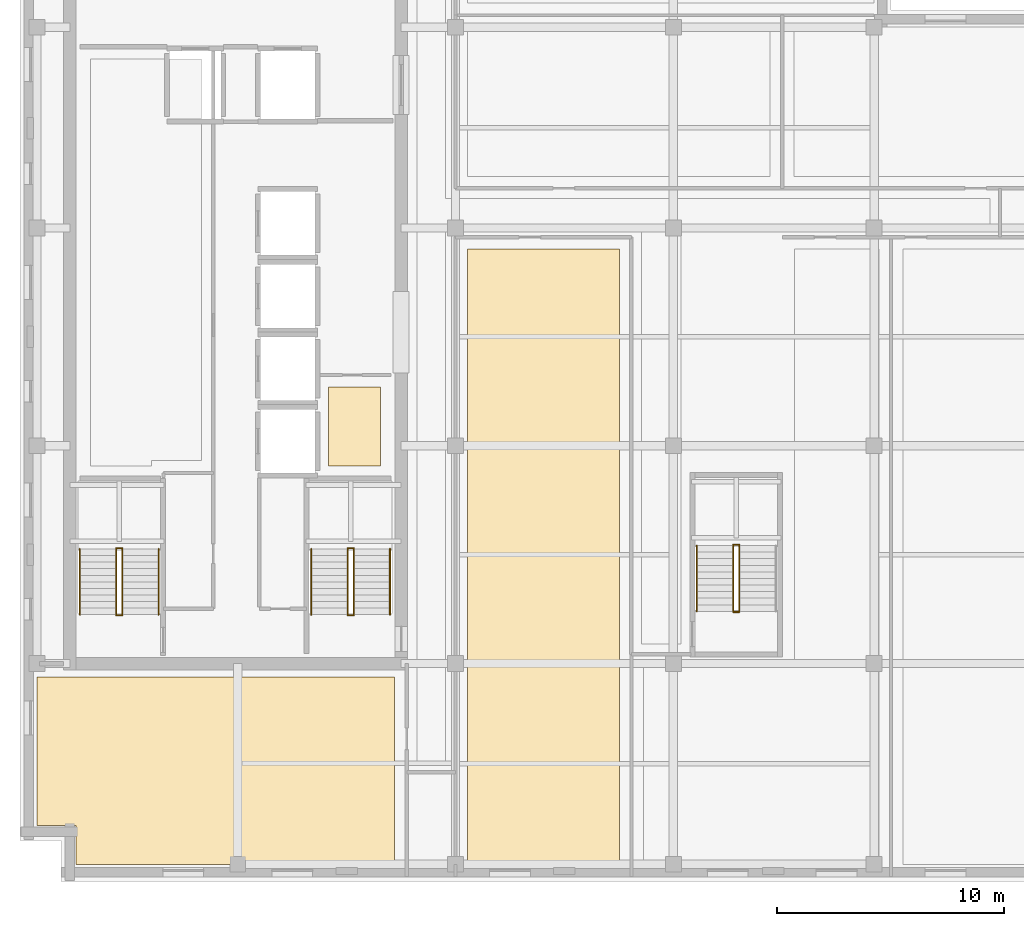
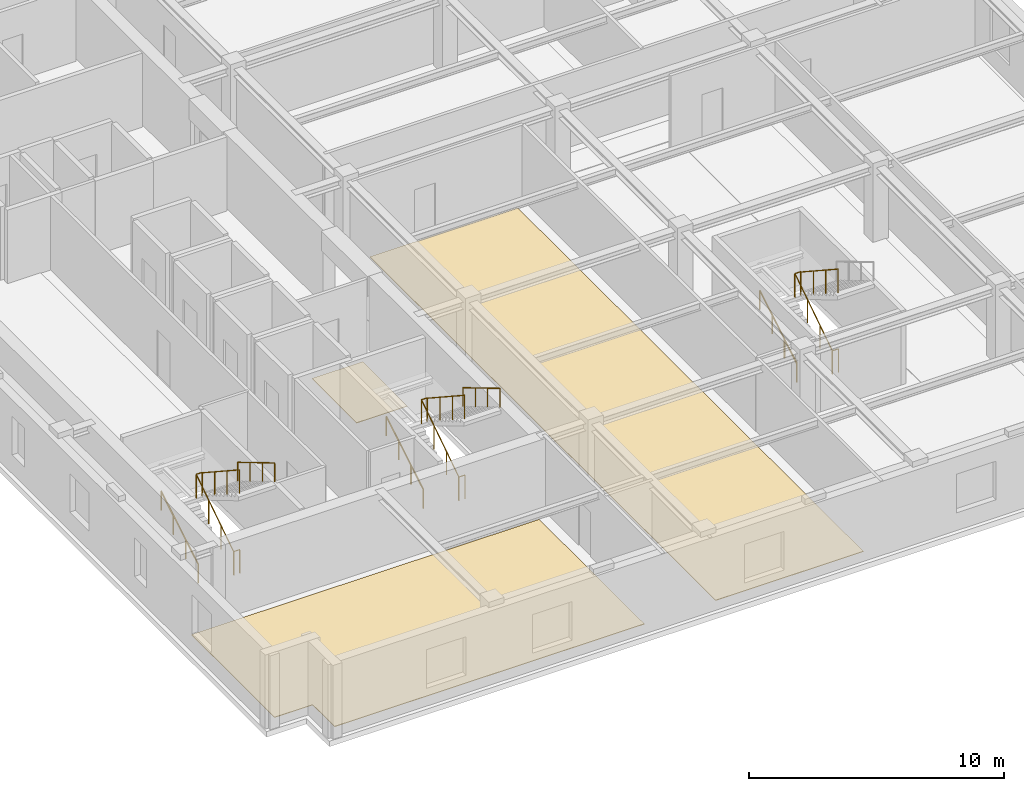
# One storey, part 6 of 10: 17 railings, 3 coverings.
"""IFC4 building model written with IfcOpenShell, lengths in metres."""

from ifc_helpers import new_model, si_unit, direction, frame, origin, origin_2d, place, context, subcontext, project, spatial, polyline, circle, outline, extrude, material, layer, layer_set, type_object, element, save


model = new_model("IFC4")

# Units and contexts
model_context = context("Model", 3, precision=1e-05, world=origin(), true_north=direction((0.0, 1.0)))
body_context = subcontext(model_context, "Body", "Model", "MODEL_VIEW")
ifc_project = project(units=[si_unit("LENGTHUNIT", "METRE"), si_unit("AREAUNIT", "SQUARE_METRE"), si_unit("VOLUMEUNIT", "CUBIC_METRE"), si_unit("PLANEANGLEUNIT", "RADIAN"), si_unit("MASSUNIT", "GRAM", prefix="KILO")], contexts=[model_context])

# Site, building, storey
site_placement = place(None, origin())
site = spatial("IfcSite", under=ifc_project, at=site_placement, CompositionType="ELEMENT")
building_placement = place(site_placement, origin())
building = spatial("IfcBuilding", under=site, at=building_placement, Name="Norrvale University Quadrangle", CompositionType="ELEMENT")
storey_placement = place(building_placement, frame((0.0, 0.0, 292.39990234375)))
storey = spatial("IfcBuildingStorey", under=building, at=storey_placement, Name="L74", CompositionType="ELEMENT", Elevation=292.39990234375)

# Coverings
ifc_material_1 = material(Name="Polished Terrazzo Flooring")
ifc_layer = layer(ifc_material_1, 0.02490234375, Name="Polished Terrazzo Flooring")
ifc_layer_set = layer_set([ifc_layer], Name="Polished Terrazzo Flooring")
covering_type = type_object("IfcCoveringType", Name="Covering Terrazzo Floor 30", PredefinedType="FLOORING", material=ifc_layer_set)
covering_1_placement = place(storey_placement, origin())
element("IfcCovering", 1, at=covering_1_placement, inside=storey, type_object=covering_type, Name="Terrazzo Flooring RM-L74-JAN", PredefinedType="FLOORING", context=body_context, shape_type="SweptSolid", body=[
    extrude(outline(polyline([(13.60009765625, 18.300048828125), (13.60009765625, 21.800048828125), (15.89990234375, 21.800048828125), (15.89990234375, 18.300048828125), (13.60009765625, 18.300048828125)])), origin(), (0.0, 0.0, 1.0), 0.025146484375),
])
covering_2_placement = place(storey_placement, origin())
element("IfcCovering", 2, at=covering_2_placement, inside=storey, type_object=covering_type, Name="Terrazzo Flooring RM-L74-SW1", PredefinedType="FLOORING", context=body_context, shape_type="SweptSolid", body=[
    extrude(outline(polyline([(0.75, 9.0), (16.5, 9.0), (16.5, 0.75), (2.469970703125, 0.75), (2.469970703125, 2.469970703125), (0.75, 2.469970703125), (0.75, 9.0)])), origin(), (0.0, 0.0, 1.0), 0.025146484375),
])
covering_3_placement = place(storey_placement, origin())
element("IfcCovering", 3, at=covering_3_placement, inside=storey, type_object=covering_type, Name="Terrazzo Flooring RM-L74-SE1", PredefinedType="FLOORING", context=body_context, shape_type="SweptSolid", body=[
    extrude(outline(polyline([(19.72998046875, 27.8701171875), (26.419921875, 27.8701171875), (26.419921875, 0.75), (19.72998046875, 0.75), (19.72998046875, 27.8701171875)])), origin(), (0.0, 0.0, 1.0), 0.025146484375),
])

# Railings
ifc_material_2 = material(Name="Steel 350W Painted Balustrade", Category="steel")
railing_type_1 = type_object("IfcRailingType", Name="Railing Stair Guard 1100", PredefinedType="GUARDRAIL", material=ifc_material_2)
for number, where, name in (
    (4, (4.239990234375, 11.719970703125, 0.0), "Stair Floor Well Guard ST-01 L74"),
    (5, (4.239990234375, 14.679931640625, 1.900146484375), "Stair Mid-Landing Slot Guard ST-01 L74"),
):
    element("IfcRailing", number, at=place(storey_placement, frame(where)), inside=storey, type_object=railing_type_1, Name=name, PredefinedType="GUARDRAIL", context=body_context, shape_type="SweptSolid", body=[
        extrude(circle(Radius=0.02392578125, at=origin_2d()), frame((0.0, 0.0, 1.1259765625), z_axis=(1.0, 0.0, 0.0), x_axis=(0.0, 1.0, 0.0)), (0.0, 0.0, 1.0), 0.27001953125),
        extrude(circle(Radius=0.02099609375, at=origin_2d()), origin(), (0.0, 0.0, 1.0), 1.101806640625),
        extrude(circle(Radius=0.02099609375, at=origin_2d()), frame((0.27001953125, 0.0, 0.0)), (0.0, 0.0, 1.0), 1.101806640625),
    ])
railing_1_placement = place(storey_placement, frame((4.239990234375, 11.75, 0.0)))
element("IfcRailing", 6, at=railing_1_placement, inside=storey, type_object=railing_type_1, Name="Stair Lower Flight Inner Guard ST-01 L74", PredefinedType="GUARDRAIL", context=body_context, shape_type="SweptSolid", body=[
    extrude(circle(Radius=0.02392578125, at=origin_2d()), frame((0.0, 0.0, 1.1259765625), z_axis=(0.0, 0.836433300813, 0.548068730445), x_axis=(-1.0, 0.0, 0.0)), (0.0, 0.0, 1.0), 3.467041015625),
    extrude(circle(Radius=0.02099609375, at=origin_2d()), origin(), (0.0, 0.0, 1.0), 1.101806640625),
    extrude(circle(Radius=0.02099609375, at=origin_2d()), frame((0.0, 0.966552734375, 0.63330078125)), (0.0, 0.0, 1.0), 1.101806640625),
    extrude(circle(Radius=0.02099609375, at=origin_2d()), frame((0.0, 1.933349609375, 1.266845703125)), (0.0, 0.0, 1.0), 1.101806640625),
    extrude(circle(Radius=0.02099609375, at=origin_2d()), frame((0.0, 2.89990234375, 1.900146484375)), (0.0, 0.0, 1.0), 1.101806640625),
])
railing_2_placement = place(storey_placement, frame((4.510009765625, 14.64990234375, 1.900146484375)))
element("IfcRailing", 7, at=railing_2_placement, inside=storey, type_object=railing_type_1, Name="Stair Upper Flight Inner Guard ST-01 L74", PredefinedType="GUARDRAIL", context=body_context, shape_type="SweptSolid", body=[
    extrude(circle(Radius=0.02392578125, at=origin_2d()), frame((0.0, 0.0, 1.1259765625), z_axis=(0.0, -0.836465582154, 0.548019461216), x_axis=(1.0, 0.0, 0.0)), (0.0, 0.0, 1.0), 3.466796875),
    extrude(circle(Radius=0.02099609375, at=origin_2d()), origin(), (0.0, 0.0, 1.0), 1.101806640625),
    extrude(circle(Radius=0.02099609375, at=origin_2d()), frame((0.0, -0.966552734375, 0.63330078125)), (0.0, 0.0, 1.0), 1.101806640625),
    extrude(circle(Radius=0.02099609375, at=origin_2d()), frame((0.0, -1.933349609375, 1.2666015625)), (0.0, 0.0, 1.0), 1.101806640625),
    extrude(circle(Radius=0.02099609375, at=origin_2d()), frame((0.0, -2.89990234375, 1.89990234375)), (0.0, 0.0, 1.0), 1.101806640625),
])
for number, where, name in (
    (8, (14.43994140625, 11.719970703125, 0.0), "Stair Floor Well Guard ST-03 L74"),
    (9, (14.43994140625, 14.679931640625, 1.900146484375), "Stair Mid-Landing Slot Guard ST-03 L74"),
):
    element("IfcRailing", number, at=place(storey_placement, frame(where)), inside=storey, type_object=railing_type_1, Name=name, PredefinedType="GUARDRAIL", context=body_context, shape_type="SweptSolid", body=[
        extrude(circle(Radius=0.02392578125, at=origin_2d()), frame((0.0, 0.0, 1.1259765625), z_axis=(1.0, 0.0, 0.0), x_axis=(0.0, 1.0, 0.0)), (0.0, 0.0, 1.0), 0.27001953125),
        extrude(circle(Radius=0.02099609375, at=origin_2d()), origin(), (0.0, 0.0, 1.0), 1.101806640625),
        extrude(circle(Radius=0.02099609375, at=origin_2d()), frame((0.27001953125, 0.0, 0.0)), (0.0, 0.0, 1.0), 1.101806640625),
    ])
railing_3_placement = place(storey_placement, frame((14.43994140625, 11.75, 0.0)))
element("IfcRailing", 10, at=railing_3_placement, inside=storey, type_object=railing_type_1, Name="Stair Lower Flight Inner Guard ST-03 L74", PredefinedType="GUARDRAIL", context=body_context, shape_type="SweptSolid", body=[
    extrude(circle(Radius=0.02392578125, at=origin_2d()), frame((0.0, 0.0, 1.1259765625), z_axis=(0.0, 0.836433300813, 0.548068730445), x_axis=(-1.0, 0.0, 0.0)), (0.0, 0.0, 1.0), 3.467041015625),
    extrude(circle(Radius=0.02099609375, at=origin_2d()), origin(), (0.0, 0.0, 1.0), 1.101806640625),
    extrude(circle(Radius=0.02099609375, at=origin_2d()), frame((0.0, 0.966552734375, 0.63330078125)), (0.0, 0.0, 1.0), 1.101806640625),
    extrude(circle(Radius=0.02099609375, at=origin_2d()), frame((0.0, 1.933349609375, 1.266845703125)), (0.0, 0.0, 1.0), 1.101806640625),
    extrude(circle(Radius=0.02099609375, at=origin_2d()), frame((0.0, 2.89990234375, 1.900146484375)), (0.0, 0.0, 1.0), 1.101806640625),
])
railing_4_placement = place(storey_placement, frame((14.7099609375, 14.64990234375, 1.900146484375)))
element("IfcRailing", 11, at=railing_4_placement, inside=storey, type_object=railing_type_1, Name="Stair Upper Flight Inner Guard ST-03 L74", PredefinedType="GUARDRAIL", context=body_context, shape_type="SweptSolid", body=[
    extrude(circle(Radius=0.02392578125, at=origin_2d()), frame((0.0, 0.0, 1.1259765625), z_axis=(0.0, -0.836465582154, 0.548019461216), x_axis=(1.0, 0.0, 0.0)), (0.0, 0.0, 1.0), 3.466796875),
    extrude(circle(Radius=0.02099609375, at=origin_2d()), origin(), (0.0, 0.0, 1.0), 1.101806640625),
    extrude(circle(Radius=0.02099609375, at=origin_2d()), frame((0.0, -0.966552734375, 0.63330078125)), (0.0, 0.0, 1.0), 1.101806640625),
    extrude(circle(Radius=0.02099609375, at=origin_2d()), frame((0.0, -1.933349609375, 1.2666015625)), (0.0, 0.0, 1.0), 1.101806640625),
    extrude(circle(Radius=0.02099609375, at=origin_2d()), frame((0.0, -2.89990234375, 1.89990234375)), (0.0, 0.0, 1.0), 1.101806640625),
])
for number, where, name in (
    (12, (31.43994140625, 11.8701171875, 0.0), "Stair Floor Well Guard ST-04 L74"),
    (13, (31.43994140625, 14.830078125, 1.900146484375), "Stair Mid-Landing Slot Guard ST-04 L74"),
):
    element("IfcRailing", number, at=place(storey_placement, frame(where)), inside=storey, type_object=railing_type_1, Name=name, PredefinedType="GUARDRAIL", context=body_context, shape_type="SweptSolid", body=[
        extrude(circle(Radius=0.02392578125, at=origin_2d()), frame((0.0, 0.0, 1.1259765625), z_axis=(1.0, 0.0, 0.0), x_axis=(0.0, 1.0, 0.0)), (0.0, 0.0, 1.0), 0.27001953125),
        extrude(circle(Radius=0.02099609375, at=origin_2d()), origin(), (0.0, 0.0, 1.0), 1.101806640625),
        extrude(circle(Radius=0.02099609375, at=origin_2d()), frame((0.27001953125, 0.0, 0.0)), (0.0, 0.0, 1.0), 1.101806640625),
    ])
railing_5_placement = place(storey_placement, frame((31.43994140625, 11.89990234375, 0.0)))
element("IfcRailing", 14, at=railing_5_placement, inside=storey, type_object=railing_type_1, Name="Stair Lower Flight Inner Guard ST-04 L74", PredefinedType="GUARDRAIL", context=body_context, shape_type="SweptSolid", body=[
    extrude(circle(Radius=0.02392578125, at=origin_2d()), frame((0.0, 0.0, 1.1259765625), z_axis=(0.0, 0.836454451266, 0.548036450392), x_axis=(-1.0, 0.0, 0.0)), (0.0, 0.0, 1.0), 3.46728515625),
    extrude(circle(Radius=0.02099609375, at=origin_2d()), origin(), (0.0, 0.0, 1.0), 1.101806640625),
    extrude(circle(Radius=0.02099609375, at=origin_2d()), frame((0.0, 0.966796875, 0.63330078125)), (0.0, 0.0, 1.0), 1.101806640625),
    extrude(circle(Radius=0.02099609375, at=origin_2d()), frame((0.0, 1.933349609375, 1.266845703125)), (0.0, 0.0, 1.0), 1.101806640625),
    extrude(circle(Radius=0.02099609375, at=origin_2d()), frame((0.0, 2.900146484375, 1.900146484375)), (0.0, 0.0, 1.0), 1.101806640625),
])
railing_6_placement = place(storey_placement, frame((31.7099609375, 14.800048828125, 1.900146484375)))
element("IfcRailing", 15, at=railing_6_placement, inside=storey, type_object=railing_type_1, Name="Stair Upper Flight Inner Guard ST-04 L74", PredefinedType="GUARDRAIL", context=body_context, shape_type="SweptSolid", body=[
    extrude(circle(Radius=0.02392578125, at=origin_2d()), frame((0.0, 0.0, 1.1259765625), z_axis=(0.0, -0.836486729621, 0.547987181573), x_axis=(1.0, 0.0, 0.0)), (0.0, 0.0, 1.0), 3.467041015625),
    extrude(circle(Radius=0.02099609375, at=origin_2d()), origin(), (0.0, 0.0, 1.0), 1.101806640625),
    extrude(circle(Radius=0.02099609375, at=origin_2d()), frame((0.0, -0.966796875, 0.63330078125)), (0.0, 0.0, 1.0), 1.101806640625),
    extrude(circle(Radius=0.02099609375, at=origin_2d()), frame((0.0, -1.933349609375, 1.2666015625)), (0.0, 0.0, 1.0), 1.101806640625),
    extrude(circle(Radius=0.02099609375, at=origin_2d()), frame((0.0, -2.900146484375, 1.89990234375)), (0.0, 0.0, 1.0), 1.101806640625),
])
ifc_material_3 = material(Name="Stainless Steel 316L Handrail", Category="steel")
railing_type_2 = type_object("IfcRailingType", Name="Railing Stair Handrail 920", PredefinedType="HANDRAIL", material=ifc_material_3)
railing_7_placement = place(storey_placement, frame((2.639892578125, 11.75, 0.1728515625)))
element("IfcRailing", 16, at=railing_7_placement, inside=storey, type_object=railing_type_2, Name="Stair Lower Flight Handrail ST-01 L74", PredefinedType="HANDRAIL", context=body_context, shape_type="SweptSolid", body=[
    extrude(circle(Radius=0.02392578125, at=origin_2d()), frame((0.0, 0.0, 0.89599609375), z_axis=(0.0, 0.859141464434, 0.511738159696), x_axis=(-1.0, 0.0, 0.0)), (0.0, 0.0, 1.0), 3.375244140625),
    extrude(circle(Radius=0.02099609375, at=origin_2d()), origin(), (0.0, 0.0, 1.0), 0.871826171875),
    extrude(circle(Radius=0.02099609375, at=origin_2d()), frame((0.0, 0.966552734375, 0.57568359375)), (0.0, 0.0, 1.0), 0.871826171875),
    extrude(circle(Radius=0.02099609375, at=origin_2d()), frame((0.0, 1.933349609375, 1.151611328125)), (0.0, 0.0, 1.0), 0.871826171875),
    extrude(circle(Radius=0.02099609375, at=origin_2d()), frame((0.0, 2.89990234375, 1.727294921875)), (0.0, 0.0, 1.0), 0.871826171875),
])
railing_8_placement = place(storey_placement, frame((6.110107421875, 14.64990234375, 2.07275390625)))
element("IfcRailing", 17, at=railing_8_placement, inside=storey, type_object=railing_type_2, Name="Stair Upper Flight Handrail ST-01 L74", PredefinedType="HANDRAIL", context=body_context, shape_type="SweptSolid", body=[
    extrude(circle(Radius=0.02392578125, at=origin_2d()), frame((0.0, 0.0, 0.89599609375), z_axis=(0.0, -0.859141464434, 0.511738159696), x_axis=(1.0, 0.0, 0.0)), (0.0, 0.0, 1.0), 3.375244140625),
    extrude(circle(Radius=0.02099609375, at=origin_2d()), origin(), (0.0, 0.0, 1.0), 0.871826171875),
    extrude(circle(Radius=0.02099609375, at=origin_2d()), frame((0.0, -0.966552734375, 0.57568359375)), (0.0, 0.0, 1.0), 0.871826171875),
    extrude(circle(Radius=0.02099609375, at=origin_2d()), frame((0.0, -1.933349609375, 1.151611328125)), (0.0, 0.0, 1.0), 0.871826171875),
    extrude(circle(Radius=0.02099609375, at=origin_2d()), frame((0.0, -2.89990234375, 1.727294921875)), (0.0, 0.0, 1.0), 0.871826171875),
])
railing_9_placement = place(storey_placement, frame((12.840087890625, 11.75, 0.1728515625)))
element("IfcRailing", 18, at=railing_9_placement, inside=storey, type_object=railing_type_2, Name="Stair Lower Flight Handrail ST-03 L74", PredefinedType="HANDRAIL", context=body_context, shape_type="SweptSolid", body=[
    extrude(circle(Radius=0.02392578125, at=origin_2d()), frame((0.0, 0.0, 0.89599609375), z_axis=(0.0, 0.859141464434, 0.511738159696), x_axis=(-1.0, 0.0, 0.0)), (0.0, 0.0, 1.0), 3.375244140625),
    extrude(circle(Radius=0.02099609375, at=origin_2d()), origin(), (0.0, 0.0, 1.0), 0.871826171875),
    extrude(circle(Radius=0.02099609375, at=origin_2d()), frame((0.0, 0.966552734375, 0.57568359375)), (0.0, 0.0, 1.0), 0.871826171875),
    extrude(circle(Radius=0.02099609375, at=origin_2d()), frame((0.0, 1.933349609375, 1.151611328125)), (0.0, 0.0, 1.0), 0.871826171875),
    extrude(circle(Radius=0.02099609375, at=origin_2d()), frame((0.0, 2.89990234375, 1.727294921875)), (0.0, 0.0, 1.0), 0.871826171875),
])
railing_10_placement = place(storey_placement, frame((16.31005859375, 14.64990234375, 2.07275390625)))
element("IfcRailing", 19, at=railing_10_placement, inside=storey, type_object=railing_type_2, Name="Stair Upper Flight Handrail ST-03 L74", PredefinedType="HANDRAIL", context=body_context, shape_type="SweptSolid", body=[
    extrude(circle(Radius=0.02392578125, at=origin_2d()), frame((0.0, 0.0, 0.89599609375), z_axis=(0.0, -0.859141464434, 0.511738159696), x_axis=(1.0, 0.0, 0.0)), (0.0, 0.0, 1.0), 3.375244140625),
    extrude(circle(Radius=0.02099609375, at=origin_2d()), origin(), (0.0, 0.0, 1.0), 0.871826171875),
    extrude(circle(Radius=0.02099609375, at=origin_2d()), frame((0.0, -0.966552734375, 0.57568359375)), (0.0, 0.0, 1.0), 0.871826171875),
    extrude(circle(Radius=0.02099609375, at=origin_2d()), frame((0.0, -1.933349609375, 1.151611328125)), (0.0, 0.0, 1.0), 0.871826171875),
    extrude(circle(Radius=0.02099609375, at=origin_2d()), frame((0.0, -2.89990234375, 1.727294921875)), (0.0, 0.0, 1.0), 0.871826171875),
])
railing_11_placement = place(storey_placement, frame((29.840087890625, 11.89990234375, 0.1728515625)))
element("IfcRailing", 20, at=railing_11_placement, inside=storey, type_object=railing_type_2, Name="Stair Lower Flight Handrail ST-04 L74", PredefinedType="HANDRAIL", context=body_context, shape_type="SweptSolid", body=[
    extrude(circle(Radius=0.02392578125, at=origin_2d()), frame((0.0, 0.0, 0.89599609375), z_axis=(0.0, 0.859160404282, 0.51170636083), x_axis=(-1.0, 0.0, 0.0)), (0.0, 0.0, 1.0), 3.37548828125),
    extrude(circle(Radius=0.02099609375, at=origin_2d()), origin(), (0.0, 0.0, 1.0), 0.871826171875),
    extrude(circle(Radius=0.02099609375, at=origin_2d()), frame((0.0, 0.966796875, 0.57568359375)), (0.0, 0.0, 1.0), 0.871826171875),
    extrude(circle(Radius=0.02099609375, at=origin_2d()), frame((0.0, 1.933349609375, 1.151611328125)), (0.0, 0.0, 1.0), 0.871826171875),
    extrude(circle(Radius=0.02099609375, at=origin_2d()), frame((0.0, 2.900146484375, 1.727294921875)), (0.0, 0.0, 1.0), 0.871826171875),
])

save(model, "model.ifc")
